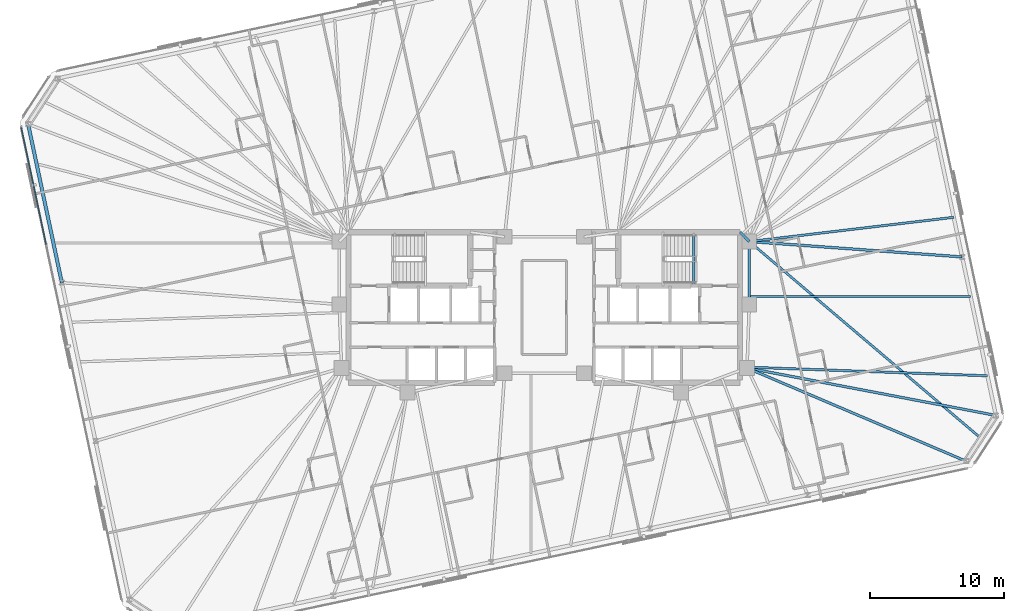
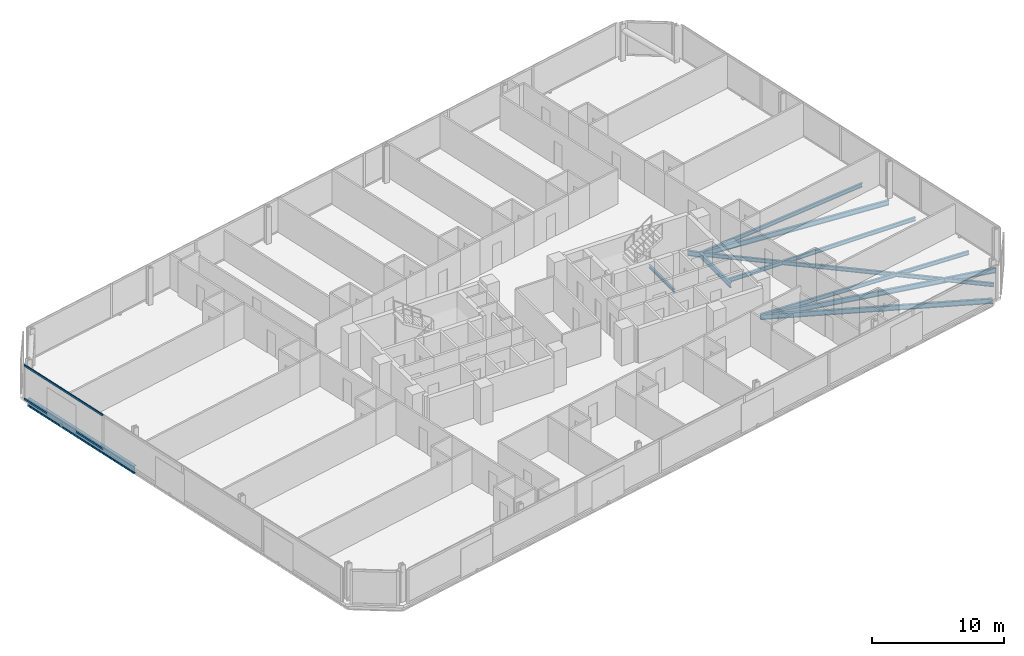
# One storey, part 8 of 20: 11 beams, 2 members, 1 element without a shape of its own.
"""IFC4 building model written with IfcOpenShell, lengths in metres."""

from ifc_helpers import new_model, si_unit, direction, frame, origin, origin_2d, place, context, subcontext, project, spatial, rectangle, i_section, extrude, material, material_profile, profile_set, type_object, element, aggregate, save


model = new_model("IFC4")

# Units and contexts
model_context = context("Model", 3, precision=1e-05, world=origin(), true_north=direction((0.0, 1.0)))
body_context = subcontext(model_context, "Body", "Model", "MODEL_VIEW")
ifc_project = project(units=[si_unit("LENGTHUNIT", "METRE"), si_unit("AREAUNIT", "SQUARE_METRE"), si_unit("VOLUMEUNIT", "CUBIC_METRE"), si_unit("PLANEANGLEUNIT", "RADIAN"), si_unit("MASSUNIT", "GRAM", prefix="KILO")], contexts=[model_context])

# Site, building, storey
site_placement = place(None, origin())
site = spatial("IfcSite", under=ifc_project, at=site_placement, CompositionType="ELEMENT")
building_placement = place(site_placement, origin())
building = spatial("IfcBuilding", under=site, at=building_placement, Name="Menara Jurai Vektor", CompositionType="ELEMENT")
storey_placement = place(building_placement, frame((0.0, 0.0, 178.60009765625)))
storey = spatial("IfcBuildingStorey", under=building, at=storey_placement, Name="L46", CompositionType="ELEMENT", Elevation=178.60009765625)

# Curtain wall, members
ifc_material_1 = material(Name="Anodised Pale Aluminium & Low-E Double Glazing", Category="aluminium")
curtain_wall_type = type_object("IfcCurtainWallType", Name="CW-BLK3", PredefinedType="NOTDEFINED", material=ifc_material_1)
curtain_wall_placement = place(storey_placement, origin())
curtain_wall = element("IfcCurtainWall", 1, at=curtain_wall_placement, inside=storey, type_object=curtain_wall_type, Name="Unitised Curtain Wall L46 F07", PredefinedType="NOTDEFINED")
ifc_material_2 = material(Name="Anodised Pale Aluminium Transom", Category="aluminium")
ifc_material_profile_1 = material_profile(ifc_material_2, rectangle(XDim=0.0849609375, YDim=0.175048828125, at=origin_2d()), Name="ALU TRN 85x175")
ifc_profile_set_1 = profile_set([ifc_material_profile_1], Name="Anodised Pale Aluminium Transom")
member_type = type_object("IfcMemberType", Name="CW-BLK3-TRN", PredefinedType="USERDEFINED", material=ifc_profile_set_1)
member_1_placement = place(storey_placement, frame((-38.896728515625, 13.378173828125, 0.04248046875), z_axis=(0.207899517354, -0.978150188204, 0.0), x_axis=(0.978150188204, 0.207899517354, 0.0)))
member_1 = element("IfcMember", 2, at=member_1_placement, type_object=member_type, Name="CW-03 transom 1.1", ObjectType="TRANSOM", PredefinedType="USERDEFINED", context=body_context, shape_type="SweptSolid", body=[
    extrude(rectangle(XDim=0.0849609375, YDim=0.175048828125, at=origin_2d()), origin(), (0.0, 0.0, 1.0), 8.882568359375),
])
member_2_placement = place(storey_placement, frame((-38.896728515625, 13.378173828125, 3.13232421875), z_axis=(0.207899517354, -0.978150188204, 0.0), x_axis=(0.978150188204, 0.207899517354, 0.0)))
member_2 = element("IfcMember", 3, at=member_2_placement, type_object=member_type, Name="CW-03 transom 1.2", ObjectType="TRANSOM", PredefinedType="USERDEFINED", context=body_context, shape_type="SweptSolid", body=[
    extrude(rectangle(XDim=0.0849609375, YDim=0.175048828125, at=origin_2d()), origin(), (0.0, 0.0, 1.0), 8.882568359375),
])
aggregate(curtain_wall, [member_1, member_2])

# Beams
ifc_material_3 = material(Name="Steel S355", Category="steel")
ifc_material_profile_2 = material_profile(ifc_material_3, i_section(OverallWidth=0.19091796875, OverallDepth=0.4599609375, WebThickness=0.010009765625, FlangeThickness=0.01611328125, FilletRadius=0.010009765625, at=origin_2d()), Name="UKB 457x191x82")
ifc_profile_set_2 = profile_set([ifc_material_profile_2], Name="Steel S355")
beam_type_1 = type_object("IfcBeamType", Name="STR-BM-457", PredefinedType="BEAM", material=ifc_profile_set_2)
beam_1_placement = place(storey_placement, frame((14.56005859375, 5.60009765625, -0.455078125), z_axis=(0.701871936926, -0.712303154672, 0.0), x_axis=(0.712303154672, 0.701871936926, 0.0)))
element("IfcBeam", 4, at=beam_1_placement, inside=storey, type_object=beam_type_1, Name="Core Ring Header Girder L46-CHE-N2", PredefinedType="BEAM", context=body_context, shape_type="SweptSolid", body=[
    extrude(i_section(OverallWidth=0.19091796875, OverallDepth=0.4599609375, WebThickness=0.010009765625, FlangeThickness=0.01611328125, FilletRadius=0.010009765625, at=origin_2d()), origin(), (0.0, 0.0, 1.0), 0.98291015625),
])
beam_2_placement = place(storey_placement, frame((15.25, 0.219970703125, -0.455078125), z_axis=(0.0, 1.0, 0.0), x_axis=(-1.0, 0.0, 0.0)))
element("IfcBeam", 5, at=beam_2_placement, inside=storey, type_object=beam_type_1, Name="Core Ring Header Girder L46-CHE-E1", PredefinedType="BEAM", context=body_context, shape_type="SweptSolid", body=[
    extrude(i_section(OverallWidth=0.19091796875, OverallDepth=0.4599609375, WebThickness=0.010009765625, FlangeThickness=0.01611328125, FilletRadius=0.010009765625, at=origin_2d()), origin(), (0.0, 0.0, 1.0), 4.679931640625),
])
beam_3_placement = place(storey_placement, frame((31.376220703125, -11.438720703125, -0.455078125), z_axis=(-0.920069342045, 0.391755543458, 0.0), x_axis=(-0.391755543458, -0.920069342045, 0.0)))
element("IfcBeam", 6, at=beam_3_placement, inside=storey, type_object=beam_type_1, Name="Radial Floor Girder L46-S6", PredefinedType="BEAM", context=body_context, shape_type="SweptSolid", body=[
    extrude(i_section(OverallWidth=0.19091796875, OverallDepth=0.4599609375, WebThickness=0.010009765625, FlangeThickness=0.01611328125, FilletRadius=0.010009765625, at=origin_2d()), origin(), (0.0, 0.0, 1.0), 17.7119140625),
])
beam_4_placement = place(storey_placement, frame((33.588623046875, -8.031982421875, -0.455078125), z_axis=(-0.982274660407, 0.187447303322, 0.0), x_axis=(-0.187447303322, -0.982274660407, 0.0)))
element("IfcBeam", 7, at=beam_4_placement, inside=storey, type_object=beam_type_1, Name="Radial Floor Girder L46-E1", PredefinedType="BEAM", context=body_context, shape_type="SweptSolid", body=[
    extrude(i_section(OverallWidth=0.19091796875, OverallDepth=0.4599609375, WebThickness=0.010009765625, FlangeThickness=0.01611328125, FilletRadius=0.010009765625, at=origin_2d()), origin(), (0.0, 0.0, 1.0), 18.842529296875),
])
beam_5_placement = place(storey_placement, frame((31.082763671875, 3.75634765625, -0.455078125), z_axis=(-0.997401783921, 0.072039443584, 0.0), x_axis=(-0.072039443584, -0.997401783921, 0.0)))
element("IfcBeam", 8, at=beam_5_placement, inside=storey, type_object=beam_type_1, Name="Radial Floor Girder L46-E2", PredefinedType="BEAM", context=body_context, shape_type="SweptSolid", body=[
    extrude(i_section(OverallWidth=0.19091796875, OverallDepth=0.4599609375, WebThickness=0.010009765625, FlangeThickness=0.01611328125, FilletRadius=0.010009765625, at=origin_2d()), origin(), (0.0, 0.0, 1.0), 15.8740234375),
])
ifc_material_profile_3 = material_profile(ifc_material_3, i_section(OverallWidth=0.172119140625, OverallDepth=0.35498046875, WebThickness=0.007080078125, FlangeThickness=0.011962890625, FilletRadius=0.010009765625, at=origin_2d()), Name="UKB 356x171x51")
ifc_profile_set_3 = profile_set([ifc_material_profile_3], Name="Steel S355")
beam_type_2 = type_object("IfcBeamType", Name="STR-JS-356", PredefinedType="JOIST", material=ifc_profile_set_3)
beam_6_placement = place(storey_placement, frame((32.482421875, -9.7353515625, -0.402587890625), z_axis=(-0.762207822165, 0.6473323998, 0.0), x_axis=(-0.6473323998, -0.762207822165, 0.0)))
element("IfcBeam", 9, at=beam_6_placement, inside=storey, type_object=beam_type_2, Name="Radial Secondary Floor Joist L46-JS10", PredefinedType="JOIST", context=body_context, shape_type="SweptSolid", body=[
    extrude(i_section(OverallWidth=0.172119140625, OverallDepth=0.35498046875, WebThickness=0.007080078125, FlangeThickness=0.011962890625, FilletRadius=0.010009765625, at=origin_2d()), origin(), (0.0, 0.0, 1.0), 22.608642578125),
])
beam_7_placement = place(storey_placement, frame((32.962158203125, -5.0849609375, -0.402587890625), z_axis=(-0.999351908775, 0.035996700238, 0.0), x_axis=(-0.035996700238, -0.999351908775, 0.0)))
element("IfcBeam", 10, at=beam_7_placement, inside=storey, type_object=beam_type_2, Name="Radial Secondary Floor Joist L46-JS11", PredefinedType="JOIST", context=body_context, shape_type="SweptSolid", body=[
    extrude(i_section(OverallWidth=0.172119140625, OverallDepth=0.35498046875, WebThickness=0.007080078125, FlangeThickness=0.011962890625, FilletRadius=0.010009765625, at=origin_2d()), origin(), (0.0, 0.0, 1.0), 17.8916015625),
])
beam_8_placement = place(storey_placement, frame((31.709228515625, 0.809326171875, -0.402587890625), z_axis=(-1.0, 0.0, 0.0), x_axis=(0.0, -1.0, 0.0)))
element("IfcBeam", 11, at=beam_8_placement, inside=storey, type_object=beam_type_2, Name="Radial Secondary Floor Joist L46-JS12", PredefinedType="JOIST", context=body_context, shape_type="SweptSolid", body=[
    extrude(i_section(OverallWidth=0.172119140625, OverallDepth=0.35498046875, WebThickness=0.007080078125, FlangeThickness=0.011962890625, FilletRadius=0.010009765625, at=origin_2d()), origin(), (0.0, 0.0, 1.0), 16.459228515625),
])
beam_9_placement = place(storey_placement, frame((30.456298828125, 6.70361328125, -0.402587890625), z_axis=(-0.993038492178, -0.11779029269, 0.0), x_axis=(0.11779029269, -0.993038492178, 0.0)))
element("IfcBeam", 12, at=beam_9_placement, inside=storey, type_object=beam_type_2, Name="Radial Secondary Floor Joist L46-JS13", PredefinedType="JOIST", context=body_context, shape_type="SweptSolid", body=[
    extrude(i_section(OverallWidth=0.172119140625, OverallDepth=0.35498046875, WebThickness=0.007080078125, FlangeThickness=0.011962890625, FilletRadius=0.010009765625, at=origin_2d()), origin(), (0.0, 0.0, 1.0), 15.31298828125),
])
ifc_material_profile_4 = material_profile(ifc_material_3, i_section(OverallWidth=0.1650390625, OverallDepth=0.302978515625, WebThickness=0.006103515625, FlangeThickness=0.010009765625, FilletRadius=0.009033203125, at=origin_2d()), Name="UKB 305x165x40")
ifc_profile_set_4 = profile_set([ifc_material_profile_4], Name="Steel S355")
beam_type_3 = type_object("IfcBeamType", Name="STR-LN-305", PredefinedType="LINTEL", material=ifc_profile_set_4)
beam_10_placement = place(storey_placement, frame((11.1201171875, 1.60009765625, -0.376708984375), z_axis=(0.0, 1.0, 0.0), x_axis=(-1.0, 0.0, 0.0)))
element("IfcBeam", 13, at=beam_10_placement, inside=storey, type_object=beam_type_3, Name="Stair Well Floor Trimmer ST2 L46", PredefinedType="LINTEL", context=body_context, shape_type="SweptSolid", body=[
    extrude(i_section(OverallWidth=0.1650390625, OverallDepth=0.302978515625, WebThickness=0.006103515625, FlangeThickness=0.010009765625, FilletRadius=0.009033203125, at=origin_2d()), origin(), (0.0, 0.0, 1.0), 3.81982421875),
])
ifc_material_4 = material(Name="Steel S460", Category="steel")
ifc_material_profile_5 = material_profile(ifc_material_4, i_section(OverallWidth=0.256103515625, OverallDepth=0.693115234375, WebThickness=0.013916015625, FlangeThickness=0.02392578125, FilletRadius=0.014892578125, at=origin_2d()), Name="UKB 686x254x170")
ifc_profile_set_5 = profile_set([ifc_material_profile_5], Name="Steel S460")
beam_type_4 = type_object("IfcBeamType", Name="STR-SP-686", PredefinedType="SPANDREL", material=ifc_profile_set_5)
beam_11_placement = place(storey_placement, frame((-38.388671875, 13.632080078125, -0.571533203125), z_axis=(0.207921262698, -0.978145566119, 0.0), x_axis=(0.978145566119, 0.207921262698, 0.0)))
element("IfcBeam", 14, at=beam_11_placement, inside=storey, type_object=beam_type_4, Name="Exoskeleton Spandrel Beam L46-17", PredefinedType="SPANDREL", context=body_context, shape_type="SweptSolid", body=[
    extrude(i_section(OverallWidth=0.256103515625, OverallDepth=0.693115234375, WebThickness=0.013916015625, FlangeThickness=0.02392578125, FilletRadius=0.014892578125, at=origin_2d()), origin(), (0.0, 0.0, 1.0), 12.052001953125),
])

save(model, "model.ifc")
